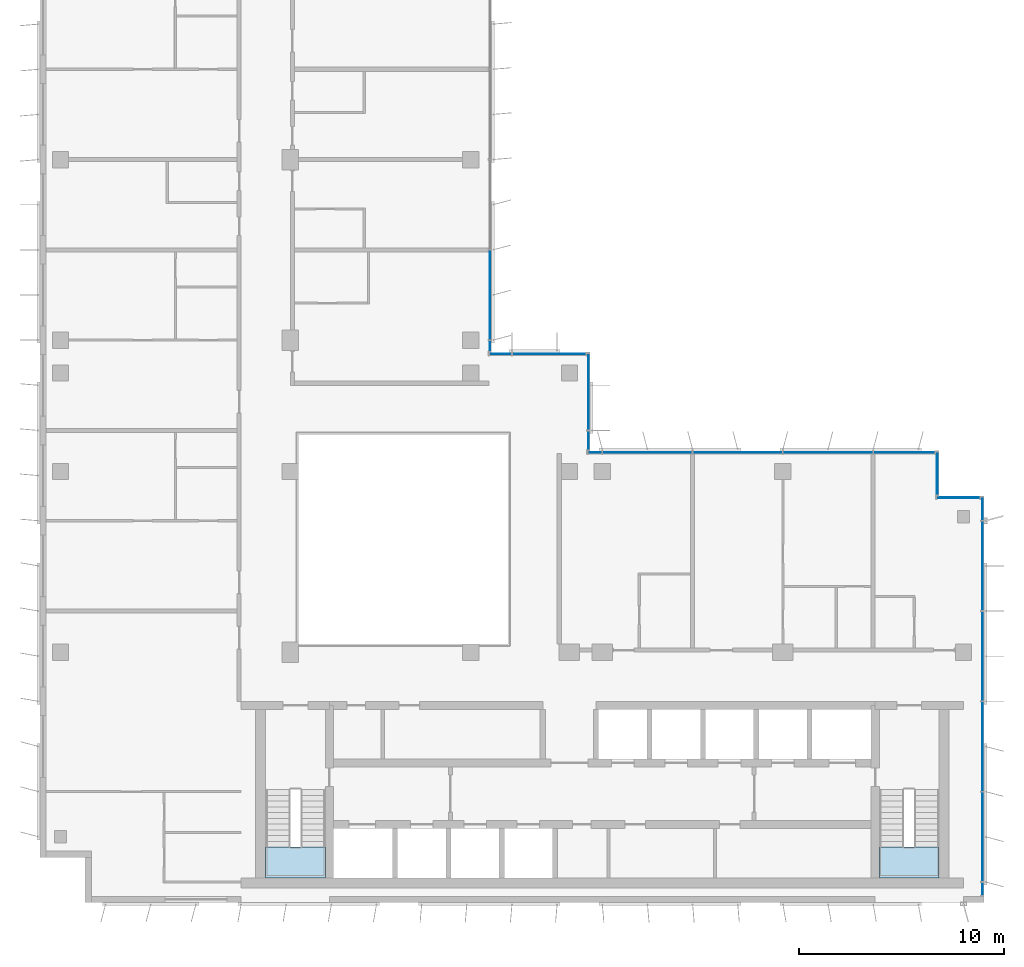
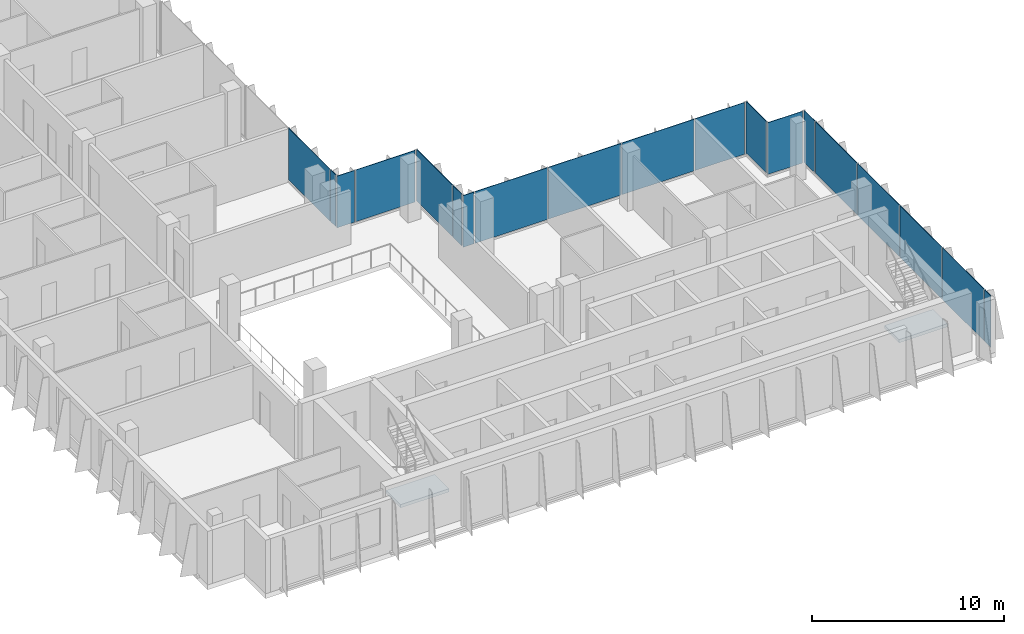
# One storey, part 7 of 16: 19 plates, 2 slabs, 9 elements without a shape of their own.
"""IFC4 building model written with IfcOpenShell, lengths in metres."""

from ifc_helpers import new_model, si_unit, direction, frame, origin, origin_2d, place, context, subcontext, project, spatial, polyline, rectangle, outline, extrude, source, transform, mapped, material, layer, layer_set, type_object, element, aggregate, save


model = new_model("IFC4")

# Units and contexts
model_context = context("Model", 3, precision=1e-05, world=origin(), true_north=direction((0.0, 1.0)))
body_context = subcontext(model_context, "Body", "Model", "MODEL_VIEW")
ifc_project = project(units=[si_unit("LENGTHUNIT", "METRE"), si_unit("AREAUNIT", "SQUARE_METRE"), si_unit("VOLUMEUNIT", "CUBIC_METRE"), si_unit("PLANEANGLEUNIT", "RADIAN"), si_unit("MASSUNIT", "GRAM", prefix="KILO")], contexts=[model_context])

# Site, building, storey
site_placement = place(None, origin())
site = spatial("IfcSite", under=ifc_project, at=site_placement, CompositionType="ELEMENT")
building_placement = place(site_placement, origin())
building = spatial("IfcBuilding", under=site, at=building_placement, Name="Kemantara Hotel Tower", CompositionType="ELEMENT")
storey_placement = place(building_placement, frame((0.0, 0.0, 287.0)))
storey = spatial("IfcBuildingStorey", under=building, at=storey_placement, Name="L72", CompositionType="ELEMENT", Elevation=287.0)

# Stair, slab
ifc_material_1 = material(Name="Concrete fc 40 MPa", Category="concrete")
stair_type = type_object("IfcStairType", Name="Stair 1200 wide 22 risers of 168 x 280 mm", PredefinedType="HALF_TURN_STAIR", material=ifc_material_1)
stair_1_placement = place(storey_placement, origin())
stair_1 = element("IfcStair", 1, at=stair_1_placement, inside=storey, type_object=stair_type, Name="L72 Exit stair ST1", PredefinedType="HALF_TURN_STAIR")
ifc_layer_1 = layer(ifc_material_1, 0.199951171875)
ifc_layer_set_1 = layer_set([ifc_layer_1], Name="Concrete fc 40 MPa")
slab_type = type_object("IfcSlabType", Name="Stair landing 200 mm", PredefinedType="LANDING", material=ifc_layer_set_1)
slab_1_placement = place(storey_placement, frame((0.0, 0.0, 1.64990234375)))
slab_1 = element("IfcSlab", 2, at=slab_1_placement, type_object=slab_type, Name="ST1 landing 1", PredefinedType="LANDING", context=body_context, shape_type="SweptSolid", body=[
    extrude(outline(polyline([(11.0, 2.699951171875), (11.0, 1.199951171875), (13.89990234375, 1.199951171875), (13.89990234375, 2.699951171875), (11.0, 2.699951171875)])), origin(), (0.0, 0.0, 1.0), 0.2001953125),
])
aggregate(stair_1, [slab_1])

stair_2_placement = place(storey_placement, origin())
stair_2 = element("IfcStair", 3, at=stair_2_placement, inside=storey, type_object=stair_type, Name="L72 Exit stair ST2", PredefinedType="HALF_TURN_STAIR")
slab_2_placement = place(storey_placement, frame((0.0, 0.0, 1.64990234375)))
slab_2 = element("IfcSlab", 4, at=slab_2_placement, type_object=slab_type, Name="ST2 landing 1", PredefinedType="LANDING", context=body_context, shape_type="SweptSolid", body=[
    extrude(outline(polyline([(40.89990234375, 2.699951171875), (40.89990234375, 1.199951171875), (43.800048828125, 1.199951171875), (43.800048828125, 2.699951171875), (40.89990234375, 2.699951171875)])), origin(), (0.0, 0.0, 1.0), 0.2001953125),
])
aggregate(stair_2, [slab_2])

# Curtain wall, plates
ifc_material_2 = material(Name="Low-E tinted double insulated glass 36 mm", Category="glass")
curtain_wall_type = type_object("IfcCurtainWallType", Name="TOWER CURTAIN WALL, FRONT FACES", PredefinedType="USERDEFINED", material=ifc_material_2)
curtain_wall_1_placement = place(storey_placement, origin())
curtain_wall_1 = element("IfcCurtainWall", 5, at=curtain_wall_1_placement, inside=storey, type_object=curtain_wall_type, Name="CW4 L72 T4-R09-1", ObjectType="TOWER CURTAIN WALL, FRONT FACES", PredefinedType="USERDEFINED")
ifc_layer_2 = layer(ifc_material_2, 0.035888671875)
ifc_layer_set_2 = layer_set([ifc_layer_2], Name="Low-E tinted double insulated glass 36 mm")
plate_type = type_object("IfcPlateType", Name="TOWER CURTAIN WALL, FRONT FACES PANEL", PredefinedType="CURTAIN_PANEL", material=ifc_layer_set_2)
shared_shape_1 = source(origin(), body_context, "Body", "SweptSolid", [
    extrude(rectangle(XDim=4.340087890625, YDim=0.035888671875, at=origin_2d()), origin(), (0.0, 0.0, 1.0), 3.280029296875),
])
plate_1_placement = place(storey_placement, frame((45.925048828125, 3.199951171875, 0.1201171875), z_axis=(0.0, 0.0, 1.0), x_axis=(0.0, 1.0, 0.0)))
plate_1 = element("IfcPlate", 6, at=plate_1_placement, type_object=plate_type, Name="CW4 glass panel T4-R09-1.2", PredefinedType="CURTAIN_PANEL", context=body_context, shape_type="MappedRepresentation", body=[
    mapped(shared_shape_1, transform((0.0, 0.0, 0.0))),
])
plate_2_placement = place(storey_placement, frame((45.925048828125, 7.60009765625, 0.1201171875), z_axis=(0.0, 0.0, 1.0), x_axis=(0.0, 1.0, 0.0)))
plate_2 = element("IfcPlate", 7, at=plate_2_placement, type_object=plate_type, Name="CW4 glass panel T4-R09-1.3", PredefinedType="CURTAIN_PANEL", context=body_context, shape_type="MappedRepresentation", body=[
    mapped(shared_shape_1, transform((0.0, 0.0, 0.0))),
])
plate_3_placement = place(storey_placement, frame((45.925048828125, 12.0, 0.1201171875), z_axis=(0.0, 0.0, 1.0), x_axis=(0.0, 1.0, 0.0)))
plate_3 = element("IfcPlate", 8, at=plate_3_placement, type_object=plate_type, Name="CW4 glass panel T4-R09-1.4", PredefinedType="CURTAIN_PANEL", context=body_context, shape_type="MappedRepresentation", body=[
    mapped(shared_shape_1, transform((0.0, 0.0, 0.0))),
])
plate_4_placement = place(storey_placement, frame((45.925048828125, 16.39990234375, 0.1201171875), z_axis=(0.0, 0.0, 1.0), x_axis=(0.0, 1.0, 0.0)))
plate_4 = element("IfcPlate", 9, at=plate_4_placement, type_object=plate_type, Name="CW4 glass panel T4-R09-1.5", PredefinedType="CURTAIN_PANEL", context=body_context, shape_type="MappedRepresentation", body=[
    mapped(shared_shape_1, transform((0.0, 0.0, 0.0))),
])

curtain_wall_2_placement = place(storey_placement, origin())
curtain_wall_2 = element("IfcCurtainWall", 10, at=curtain_wall_2_placement, inside=storey, type_object=curtain_wall_type, Name="CW4 L72 T4-R12-1", ObjectType="TOWER CURTAIN WALL, FRONT FACES", PredefinedType="USERDEFINED")
plate_5_placement = place(storey_placement, frame((38.39990234375, 21.925048828125, 0.1201171875), z_axis=(0.0, 0.0, 1.0), x_axis=(-1.0, 0.0, 0.0)))
plate_5 = element("IfcPlate", 11, at=plate_5_placement, type_object=plate_type, Name="CW4 glass panel T4-R12-1.2", PredefinedType="CURTAIN_PANEL", context=body_context, shape_type="MappedRepresentation", body=[
    mapped(shared_shape_1, transform((0.0, 0.0, 0.0))),
])
plate_6_placement = place(storey_placement, frame((34.0, 21.925048828125, 0.1201171875), z_axis=(0.0, 0.0, 1.0), x_axis=(-1.0, 0.0, 0.0)))
plate_6 = element("IfcPlate", 12, at=plate_6_placement, type_object=plate_type, Name="CW4 glass panel T4-R12-1.3", PredefinedType="CURTAIN_PANEL", context=body_context, shape_type="MappedRepresentation", body=[
    mapped(shared_shape_1, transform((0.0, 0.0, 0.0))),
])
plate_7_placement = place(storey_placement, frame((29.60009765625, 21.925048828125, 0.1201171875), z_axis=(0.0, 0.0, 1.0), x_axis=(-1.0, 0.0, 0.0)))
plate_7 = element("IfcPlate", 13, at=plate_7_placement, type_object=plate_type, Name="CW4 glass panel T4-R12-1.4", PredefinedType="CURTAIN_PANEL", context=body_context, shape_type="MappedRepresentation", body=[
    mapped(shared_shape_1, transform((0.0, 0.0, 0.0))),
])

# Curtain wall, plate
curtain_wall_3_placement = place(storey_placement, origin())
curtain_wall_3 = element("IfcCurtainWall", 14, at=curtain_wall_3_placement, inside=storey, type_object=curtain_wall_type, Name="CW4 L72 T4-R15-1", ObjectType="TOWER CURTAIN WALL, FRONT FACES", PredefinedType="USERDEFINED")
plate_8_placement = place(storey_placement, frame((21.925048828125, 29.60009765625, 0.1201171875), z_axis=(0.0, 0.0, 1.0), x_axis=(0.0, 1.0, 0.0)))
plate_8 = element("IfcPlate", 15, at=plate_8_placement, type_object=plate_type, Name="CW4 glass panel T4-R15-1.2", PredefinedType="CURTAIN_PANEL", context=body_context, shape_type="MappedRepresentation", body=[
    mapped(shared_shape_1, transform((0.0, 0.0, 0.0))),
])

curtain_wall_4_placement = place(storey_placement, origin())
curtain_wall_4 = element("IfcCurtainWall", 16, at=curtain_wall_4_placement, inside=storey, type_object=curtain_wall_type, Name="CW4 L72 T4-R10-1", ObjectType="TOWER CURTAIN WALL, FRONT FACES", PredefinedType="USERDEFINED")
shared_shape_2 = source(origin(), body_context, "Body", "SweptSolid", [
    extrude(rectangle(XDim=2.080078125, YDim=0.035888671875, at=origin_2d()), origin(), (0.0, 0.0, 1.0), 3.280029296875),
])
plate_9_placement = place(storey_placement, frame((44.75, 19.72509765625, 0.1201171875), z_axis=(0.0, 0.0, 1.0), x_axis=(-1.0, 0.0, 0.0)))
plate_9 = element("IfcPlate", 17, at=plate_9_placement, type_object=plate_type, Name="CW4 glass panel T4-R10-1.1", PredefinedType="CURTAIN_PANEL", context=body_context, shape_type="MappedRepresentation", body=[
    mapped(shared_shape_2, transform((0.0, 0.0, 0.0))),
])
aggregate(curtain_wall_4, [plate_9])

curtain_wall_5_placement = place(storey_placement, origin())
curtain_wall_5 = element("IfcCurtainWall", 18, at=curtain_wall_5_placement, inside=storey, type_object=curtain_wall_type, Name="CW4 L72 T4-R11-1", ObjectType="TOWER CURTAIN WALL, FRONT FACES", PredefinedType="USERDEFINED")
plate_10_placement = place(storey_placement, frame((43.72509765625, 20.89990234375, 0.1201171875), z_axis=(0.0, 0.0, 1.0), x_axis=(0.0, 1.0, 0.0)))
plate_10 = element("IfcPlate", 19, at=plate_10_placement, type_object=plate_type, Name="CW4 glass panel T4-R11-1.1", PredefinedType="CURTAIN_PANEL", context=body_context, shape_type="MappedRepresentation", body=[
    mapped(shared_shape_2, transform((0.0, 0.0, 0.0))),
])
aggregate(curtain_wall_5, [plate_10])

# Plate
shared_shape_3 = source(origin(), body_context, "Body", "SweptSolid", [
    extrude(rectangle(XDim=2.9599609375, YDim=0.035888671875, at=origin_2d()), origin(), (0.0, 0.0, 1.0), 3.280029296875),
])
plate_11_placement = place(storey_placement, frame((42.110107421875, 21.925048828125, 0.1201171875), z_axis=(0.0, 0.0, 1.0), x_axis=(-1.0, 0.0, 0.0)))
plate_11 = element("IfcPlate", 20, at=plate_11_placement, type_object=plate_type, Name="CW4 glass panel T4-R12-1.1", PredefinedType="CURTAIN_PANEL", context=body_context, shape_type="MappedRepresentation", body=[
    mapped(shared_shape_3, transform((0.0, 0.0, 0.0))),
])

shared_shape_4 = source(origin(), body_context, "Body", "SweptSolid", [
    extrude(rectangle(XDim=0.659912109375, YDim=0.035888671875, at=origin_2d()), origin(), (0.0, 0.0, 1.0), 3.280029296875),
])
plate_12_placement = place(storey_placement, frame((27.0400390625, 21.925048828125, 0.1201171875), z_axis=(0.0, 0.0, 1.0), x_axis=(-1.0, 0.0, 0.0)))
plate_12 = element("IfcPlate", 21, at=plate_12_placement, type_object=plate_type, Name="CW4 glass panel T4-R12-1.5", PredefinedType="CURTAIN_PANEL", context=body_context, shape_type="MappedRepresentation", body=[
    mapped(shared_shape_4, transform((0.0, 0.0, 0.0))),
])

aggregate(curtain_wall_2, [plate_11, plate_5, plate_6, plate_7, plate_12])

shared_shape_5 = source(origin(), body_context, "Body", "SweptSolid", [
    extrude(rectangle(XDim=0.510009765625, YDim=0.035888671875, at=origin_2d()), origin(), (0.0, 0.0, 1.0), 3.280029296875),
])
plate_13_placement = place(storey_placement, frame((21.925048828125, 27.114990234375, 0.1201171875), z_axis=(0.0, 0.0, 1.0), x_axis=(0.0, 1.0, 0.0)))
plate_13 = element("IfcPlate", 22, at=plate_13_placement, type_object=plate_type, Name="CW4 glass panel T4-R15-1.1", PredefinedType="CURTAIN_PANEL", context=body_context, shape_type="MappedRepresentation", body=[
    mapped(shared_shape_5, transform((0.0, 0.0, 0.0))),
])

aggregate(curtain_wall_3, [plate_13, plate_8])

# Curtain wall, plate
curtain_wall_6_placement = place(storey_placement, origin())
curtain_wall_6 = element("IfcCurtainWall", 23, at=curtain_wall_6_placement, inside=storey, type_object=curtain_wall_type, Name="CW4 L72 T4-R13-1", ObjectType="TOWER CURTAIN WALL, FRONT FACES", PredefinedType="USERDEFINED")
shared_shape_6 = source(origin(), body_context, "Body", "SweptSolid", [
    extrude(rectangle(XDim=0.909912109375, YDim=0.035888671875, at=origin_2d()), origin(), (0.0, 0.0, 1.0), 3.280029296875),
])
plate_14_placement = place(storey_placement, frame((26.72509765625, 22.514892578125, 0.1201171875), z_axis=(0.0, 0.0, 1.0), x_axis=(0.0, 1.0, 0.0)))
plate_14 = element("IfcPlate", 24, at=plate_14_placement, type_object=plate_type, Name="CW4 glass panel T4-R13-1.1", PredefinedType="CURTAIN_PANEL", context=body_context, shape_type="MappedRepresentation", body=[
    mapped(shared_shape_6, transform((0.0, 0.0, 0.0))),
])

# Plate
shared_shape_7 = source(origin(), body_context, "Body", "SweptSolid", [
    extrude(rectangle(XDim=1.110107421875, YDim=0.035888671875, at=origin_2d()), origin(), (0.0, 0.0, 1.0), 3.280029296875),
])
plate_15_placement = place(storey_placement, frame((45.925048828125, 19.18505859375, 0.1201171875), z_axis=(0.0, 0.0, 1.0), x_axis=(0.0, 1.0, 0.0)))
plate_15 = element("IfcPlate", 25, at=plate_15_placement, type_object=plate_type, Name="CW4 glass panel T4-R09-1.6", PredefinedType="CURTAIN_PANEL", context=body_context, shape_type="MappedRepresentation", body=[
    mapped(shared_shape_7, transform((0.0, 0.0, 0.0))),
])

shared_shape_8 = source(origin(), body_context, "Body", "SweptSolid", [
    extrude(rectangle(XDim=3.7099609375, YDim=0.035888671875, at=origin_2d()), origin(), (0.0, 0.0, 1.0), 3.280029296875),
])
plate_16_placement = place(storey_placement, frame((26.72509765625, 24.885009765625, 0.1201171875), z_axis=(0.0, 0.0, 1.0), x_axis=(0.0, 1.0, 0.0)))
plate_16 = element("IfcPlate", 26, at=plate_16_placement, type_object=plate_type, Name="CW4 glass panel T4-R13-1.2", PredefinedType="CURTAIN_PANEL", context=body_context, shape_type="MappedRepresentation", body=[
    mapped(shared_shape_8, transform((0.0, 0.0, 0.0))),
])

aggregate(curtain_wall_6, [plate_14, plate_16])

# Curtain wall, plates
curtain_wall_7_placement = place(storey_placement, origin())
curtain_wall_7 = element("IfcCurtainWall", 27, at=curtain_wall_7_placement, inside=storey, type_object=curtain_wall_type, Name="CW4 L72 T4-R14-1", ObjectType="TOWER CURTAIN WALL, FRONT FACES", PredefinedType="USERDEFINED")
shared_shape_9 = source(origin(), body_context, "Body", "SweptSolid", [
    extrude(rectangle(XDim=3.56005859375, YDim=0.035888671875, at=origin_2d()), origin(), (0.0, 0.0, 1.0), 3.280029296875),
])
plate_17_placement = place(storey_placement, frame((24.81005859375, 26.72509765625, 0.1201171875), z_axis=(0.0, 0.0, 1.0), x_axis=(-1.0, 0.0, 0.0)))
plate_17 = element("IfcPlate", 28, at=plate_17_placement, type_object=plate_type, Name="CW4 glass panel T4-R14-1.1", PredefinedType="CURTAIN_PANEL", context=body_context, shape_type="MappedRepresentation", body=[
    mapped(shared_shape_9, transform((0.0, 0.0, 0.0))),
])
shared_shape_10 = source(origin(), body_context, "Body", "SweptSolid", [
    extrude(rectangle(XDim=1.06005859375, YDim=0.035888671875, at=origin_2d()), origin(), (0.0, 0.0, 1.0), 3.280029296875),
])
plate_18_placement = place(storey_placement, frame((22.43994140625, 26.72509765625, 0.1201171875), z_axis=(0.0, 0.0, 1.0), x_axis=(-1.0, 0.0, 0.0)))
plate_18 = element("IfcPlate", 29, at=plate_18_placement, type_object=plate_type, Name="CW4 glass panel T4-R14-1.2", PredefinedType="CURTAIN_PANEL", context=body_context, shape_type="MappedRepresentation", body=[
    mapped(shared_shape_10, transform((0.0, 0.0, 0.0))),
])
aggregate(curtain_wall_7, [plate_17, plate_18])

# Plate
shared_shape_11 = source(origin(), body_context, "Body", "SweptSolid", [
    extrude(rectangle(XDim=0.610107421875, YDim=0.035888671875, at=origin_2d()), origin(), (0.0, 0.0, 1.0), 3.280029296875),
])
plate_19_placement = place(storey_placement, frame((45.925048828125, 0.6650390625, 0.1201171875), z_axis=(0.0, 0.0, 1.0), x_axis=(0.0, 1.0, 0.0)))
plate_19 = element("IfcPlate", 30, at=plate_19_placement, type_object=plate_type, Name="CW4 glass panel T4-R09-1.1", PredefinedType="CURTAIN_PANEL", context=body_context, shape_type="MappedRepresentation", body=[
    mapped(shared_shape_11, transform((0.0, 0.0, 0.0))),
])

aggregate(curtain_wall_1, [plate_19, plate_1, plate_2, plate_3, plate_4, plate_15])

save(model, "model.ifc")
